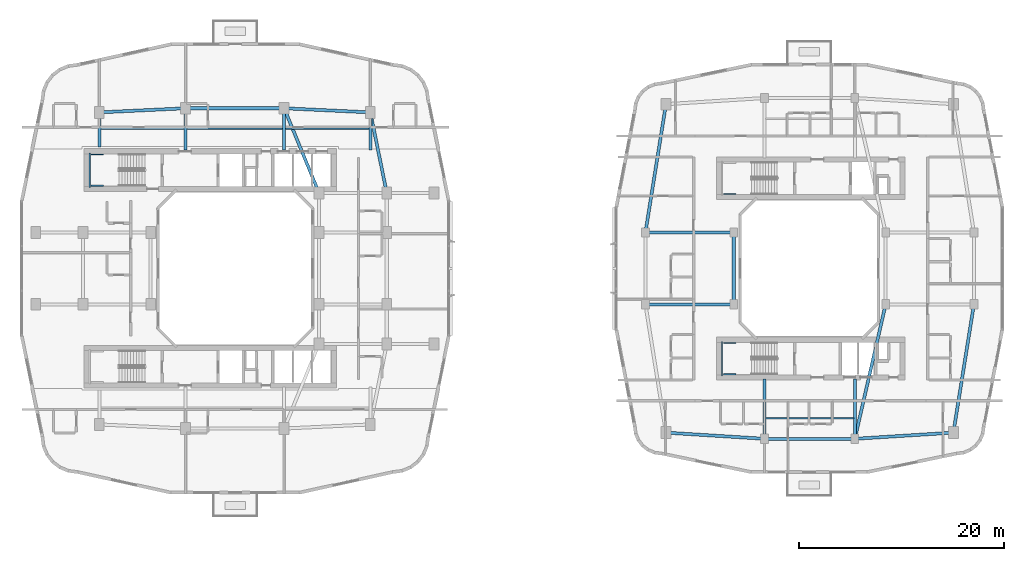
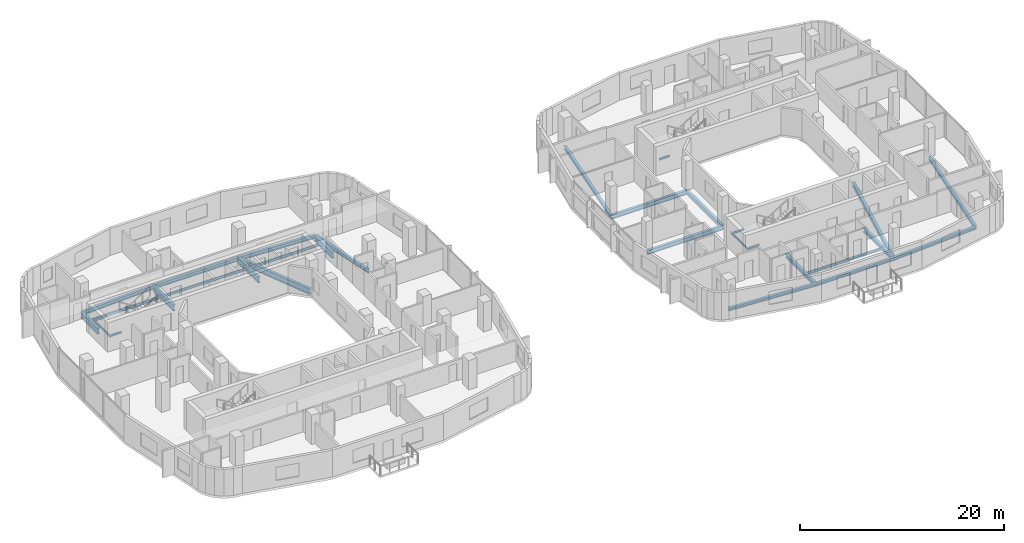
# One storey, part 5 of 22: 31 beams.
"""IFC4 building model written with IfcOpenShell, lengths in metres."""

from ifc_helpers import new_model, si_unit, derived_unit, direction, frame, origin, origin_2d, place, context, subcontext, project, spatial, i_section, extrude, material, material_profile, profile_set, type_object, element, save


model = new_model("IFC4")

# Units and contexts
model_context = context("Model", 3, precision=1e-05, world=origin(), true_north=direction((0.0, 1.0)))
body_context = subcontext(model_context, "Body", "Model", "MODEL_VIEW")
ifc_project = project(units=[si_unit("LENGTHUNIT", "METRE"), si_unit("AREAUNIT", "SQUARE_METRE"), si_unit("VOLUMEUNIT", "CUBIC_METRE"), si_unit("PLANEANGLEUNIT", "RADIAN"), si_unit("MASSUNIT", "GRAM", prefix="KILO"), derived_unit("THERMALTRANSMITTANCEUNIT", [(si_unit("POWERUNIT", "WATT"), 1), (si_unit("LENGTHUNIT", "METRE"), -2), (si_unit("THERMODYNAMICTEMPERATUREUNIT", "KELVIN"), -1)])], contexts=[model_context])

# Site, building, storey
site_placement = place(None, origin())
site = spatial("IfcSite", under=ifc_project, at=site_placement, CompositionType="ELEMENT")
building_placement = place(site_placement, origin())
building = spatial("IfcBuilding", under=site, at=building_placement, Name="Kivonza Crest Hotel", CompositionType="ELEMENT")
storey_placement = place(building_placement, frame((0.0, 0.0, 69.5)))
storey = spatial("IfcBuildingStorey", under=building, at=storey_placement, Name="L18", CompositionType="ELEMENT", Elevation=69.5)

# Beams
ifc_material = material(Name="Steel S355", Category="steel")
ifc_material_profile_1 = material_profile(ifc_material, i_section(OverallWidth=0.300048828125, OverallDepth=0.360107421875, WebThickness=0.012451171875, FlangeThickness=0.0224609375, FilletRadius=0.027099609375, at=origin_2d()), Name="HEB 360")
ifc_profile_set_1 = profile_set([ifc_material_profile_1], Name="Steel S355")
beam_type_1 = type_object("IfcBeamType", Name="BM-HEB360", PredefinedType="SPANDREL", material=ifc_profile_set_1)
beam_1_placement = place(storey_placement, frame((72.60009765625, 8.39990234375, -0.429931640625), z_axis=(1.0, 0.0, 0.0), x_axis=(0.0, 1.0, 0.0)))
element("IfcBeam", 1, at=beam_1_placement, inside=storey, type_object=beam_type_1, Name="Companion Tower T2 L18 perimeter spandrel S1-S2", PredefinedType="SPANDREL", context=body_context, shape_type="SweptSolid", body=[
    extrude(i_section(OverallWidth=0.300048828125, OverallDepth=0.360107421875, WebThickness=0.012451171875, FlangeThickness=0.0224609375, FilletRadius=0.027099609375, at=origin_2d()), origin(), (0.0, 0.0, 1.0), 8.7998046875),
])
beam_2_placement = place(storey_placement, frame((81.39990234375, 8.39990234375, -0.429931640625), z_axis=(0.998051985873, 0.062387767186, 0.0), x_axis=(-0.062387767186, 0.998051985873, 0.0)))
element("IfcBeam", 2, at=beam_2_placement, inside=storey, type_object=beam_type_1, Name="Companion Tower T2 L18 perimeter spandrel S2-SE", PredefinedType="SPANDREL", context=body_context, shape_type="SweptSolid", body=[
    extrude(i_section(OverallWidth=0.300048828125, OverallDepth=0.360107421875, WebThickness=0.012451171875, FlangeThickness=0.0224609375, FilletRadius=0.027099609375, at=origin_2d()), origin(), (0.0, 0.0, 1.0), 9.618896484375),
])
for number, where, z_axis, x_axis, name in (
    (3, (91.0, 9.0, -0.429931640625), (0.157990501107, 0.987440631917, 0.0), (-0.987440631917, 0.157990501107, 0.0), "Companion Tower T2 L18 perimeter spandrel SE-E1"),
    (4, (63.0, 41.0, -0.429931640625), (-0.157990501107, -0.987440631917, 0.0), (0.987440631917, -0.157990501107, 0.0), "Companion Tower T2 L18 perimeter spandrel NW-W2"),
):
    element("IfcBeam", number, at=place(storey_placement, frame(where, z_axis=z_axis, x_axis=x_axis)), inside=storey, type_object=beam_type_1, Name=name, PredefinedType="SPANDREL", context=body_context, shape_type="SweptSolid", body=[
        extrude(i_section(OverallWidth=0.300048828125, OverallDepth=0.360107421875, WebThickness=0.012451171875, FlangeThickness=0.0224609375, FilletRadius=0.027099609375, at=origin_2d()), origin(), (0.0, 0.0, 1.0), 12.658935546875),
    ])
beam_3_placement = place(storey_placement, frame((63.0, 9.0, -0.429931640625), z_axis=(0.998051985873, -0.062387767186, 0.0), x_axis=(0.062387767186, 0.998051985873, 0.0)))
element("IfcBeam", 5, at=beam_3_placement, inside=storey, type_object=beam_type_1, Name="Companion Tower T2 L18 perimeter spandrel SW-S1", PredefinedType="SPANDREL", context=body_context, shape_type="SweptSolid", body=[
    extrude(i_section(OverallWidth=0.300048828125, OverallDepth=0.360107421875, WebThickness=0.012451171875, FlangeThickness=0.0224609375, FilletRadius=0.027099609375, at=origin_2d()), origin(), (0.0, 0.0, 1.0), 9.618896484375),
])
ifc_material_profile_2 = material_profile(ifc_material, i_section(OverallWidth=0.300048828125, OverallDepth=0.449951171875, WebThickness=0.013916015625, FlangeThickness=0.02587890625, FilletRadius=0.027099609375, at=origin_2d()), Name="HEB 450")
ifc_profile_set_2 = profile_set([ifc_material_profile_2], Name="Steel S355")
beam_type_2 = type_object("IfcBeamType", Name="BM-HEB450", PredefinedType="SPANDREL", material=ifc_profile_set_2)
beam_4_placement = place(storey_placement, frame((35.800048828125, 32.35009765625, -0.5048828125), z_axis=(-0.199730733965, 0.979850822273, 0.0), x_axis=(-0.979850822273, -0.199730733965, 0.0)))
element("IfcBeam", 6, at=beam_4_placement, inside=storey, type_object=beam_type_2, Name="Tower T1 L18 perimeter spandrel PNE-NE", PredefinedType="SPANDREL", context=body_context, shape_type="SweptSolid", body=[
    extrude(i_section(OverallWidth=0.300048828125, OverallDepth=0.449951171875, WebThickness=0.013916015625, FlangeThickness=0.02587890625, FilletRadius=0.027099609375, at=origin_2d()), origin(), (0.0, 0.0, 1.0), 8.01123046875),
])
beam_5_placement = place(storey_placement, frame((34.199951171875, 40.199951171875, -0.5048828125), z_axis=(-0.998867283688, 0.047583080799, 0.0), x_axis=(-0.047583080799, -0.998867283688, 0.0)))
element("IfcBeam", 7, at=beam_5_placement, inside=storey, type_object=beam_type_2, Name="Tower T1 L18 perimeter spandrel NE-N2", PredefinedType="SPANDREL", context=body_context, shape_type="SweptSolid", body=[
    extrude(i_section(OverallWidth=0.300048828125, OverallDepth=0.449951171875, WebThickness=0.013916015625, FlangeThickness=0.02587890625, FilletRadius=0.027099609375, at=origin_2d()), origin(), (0.0, 0.0, 1.0), 8.409423828125),
])
beam_6_placement = place(storey_placement, frame((25.800048828125, 40.60009765625, -0.5048828125), z_axis=(-1.0, 0.0, 0.0), x_axis=(0.0, -1.0, 0.0)))
element("IfcBeam", 8, at=beam_6_placement, inside=storey, type_object=beam_type_2, Name="Tower T1 L18 perimeter spandrel N2-N1", PredefinedType="SPANDREL", context=body_context, shape_type="SweptSolid", body=[
    extrude(i_section(OverallWidth=0.300048828125, OverallDepth=0.449951171875, WebThickness=0.013916015625, FlangeThickness=0.02587890625, FilletRadius=0.027099609375, at=origin_2d()), origin(), (0.0, 0.0, 1.0), 9.60009765625),
])
beam_7_placement = place(storey_placement, frame((16.199951171875, 40.60009765625, -0.5048828125), z_axis=(-0.998867283688, -0.047583080799, 0.0), x_axis=(0.047583080799, -0.998867283688, 0.0)))
element("IfcBeam", 9, at=beam_7_placement, inside=storey, type_object=beam_type_2, Name="Tower T1 L18 perimeter spandrel N1-NW", PredefinedType="SPANDREL", context=body_context, shape_type="SweptSolid", body=[
    extrude(i_section(OverallWidth=0.300048828125, OverallDepth=0.449951171875, WebThickness=0.013916015625, FlangeThickness=0.02587890625, FilletRadius=0.027099609375, at=origin_2d()), origin(), (0.0, 0.0, 1.0), 8.409423828125),
])
ifc_material_profile_3 = material_profile(ifc_material, i_section(OverallWidth=0.300048828125, OverallDepth=0.5, WebThickness=0.014404296875, FlangeThickness=0.028076171875, FilletRadius=0.027099609375, at=origin_2d()), Name="HEB 500")
ifc_profile_set_3 = profile_set([ifc_material_profile_3], Name="Steel S355")
beam_type_3 = type_object("IfcBeamType", Name="BM-HEB500", PredefinedType="BEAM", material=ifc_profile_set_3)
for number, where, z_axis, x_axis, name in (
    (10, (61.0, 21.5, -0.5), (1.0, 0.0, 0.0), (0.0, 1.0, 0.0), "Companion Tower T2 L18 girder W1-WL1"),
    (11, (61.0, 28.5, -0.5), (1.0, 0.0, 0.0), (0.0, 1.0, 0.0), "Companion Tower T2 L18 girder W2-WL2"),
):
    element("IfcBeam", number, at=place(storey_placement, frame(where, z_axis=z_axis, x_axis=x_axis)), inside=storey, type_object=beam_type_3, Name=name, PredefinedType="BEAM", context=body_context, shape_type="SweptSolid", body=[
        extrude(i_section(OverallWidth=0.300048828125, OverallDepth=0.5, WebThickness=0.014404296875, FlangeThickness=0.028076171875, FilletRadius=0.027099609375, at=origin_2d()), origin(), (0.0, 0.0, 1.0), 8.60009765625),
    ])
beam_8_placement = place(storey_placement, frame((69.60009765625, 21.5, -0.5), z_axis=(0.0, 1.0, 0.0), x_axis=(-1.0, 0.0, 0.0)))
element("IfcBeam", 12, at=beam_8_placement, inside=storey, type_object=beam_type_3, Name="Companion Tower T2 L18 girder WL1-WL2", PredefinedType="BEAM", context=body_context, shape_type="SweptSolid", body=[
    extrude(i_section(OverallWidth=0.300048828125, OverallDepth=0.5, WebThickness=0.014404296875, FlangeThickness=0.028076171875, FilletRadius=0.027099609375, at=origin_2d()), origin(), (0.0, 0.0, 1.0), 7.0),
])
beam_9_placement = place(storey_placement, frame((84.39990234375, 21.5, -0.5), z_axis=(-0.223227287589, -0.974766422317, 0.0), x_axis=(0.974766422317, -0.223227287589, 0.0)))
element("IfcBeam", 13, at=beam_9_placement, inside=storey, type_object=beam_type_3, Name="Companion Tower T2 L18 girder WR1-S2", PredefinedType="BEAM", context=body_context, shape_type="SweptSolid", body=[
    extrude(i_section(OverallWidth=0.300048828125, OverallDepth=0.5, WebThickness=0.014404296875, FlangeThickness=0.028076171875, FilletRadius=0.027099609375, at=origin_2d()), origin(), (0.0, 0.0, 1.0), 13.439208984375),
])
for number, where, z_axis, x_axis, name in (
    (14, (72.60009765625, 8.39990234375, -0.5), (0.0, 1.0, 0.0), (-1.0, 0.0, 0.0), "Companion T2 L18 radial core girder RS1"),
    (15, (81.39990234375, 8.39990234375, -0.5), (0.0, 1.0, 0.0), (-1.0, 0.0, 0.0), "Companion T2 L18 radial core girder RS2"),
):
    element("IfcBeam", number, at=place(storey_placement, frame(where, z_axis=z_axis, x_axis=x_axis)), inside=storey, type_object=beam_type_3, Name=name, PredefinedType="BEAM", context=body_context, shape_type="SweptSolid", body=[
        extrude(i_section(OverallWidth=0.300048828125, OverallDepth=0.5, WebThickness=0.014404296875, FlangeThickness=0.028076171875, FilletRadius=0.027099609375, at=origin_2d()), origin(), (0.0, 0.0, 1.0), 5.85009765625),
    ])
ifc_material_profile_4 = material_profile(ifc_material, i_section(OverallWidth=0.300048828125, OverallDepth=0.699951171875, WebThickness=0.01708984375, FlangeThickness=0.031982421875, FilletRadius=0.027099609375, at=origin_2d()), Name="HEB 700")
ifc_profile_set_4 = profile_set([ifc_material_profile_4], Name="Steel S355")
beam_type_4 = type_object("IfcBeamType", Name="BM-HEB700", PredefinedType="BEAM", material=ifc_profile_set_4)
beam_10_placement = place(storey_placement, frame((25.800048828125, 40.60009765625, -0.6298828125), z_axis=(0.381022260404, -0.924565864109, 0.0), x_axis=(0.924565864109, 0.381022260404, 0.0)))
element("IfcBeam", 16, at=beam_10_placement, inside=storey, type_object=beam_type_4, Name="Tower T1 L18 primary girder N1-TNE", PredefinedType="BEAM", context=body_context, shape_type="SweptSolid", body=[
    extrude(i_section(OverallWidth=0.300048828125, OverallDepth=0.699951171875, WebThickness=0.01708984375, FlangeThickness=0.031982421875, FilletRadius=0.027099609375, at=origin_2d()), origin(), (0.0, 0.0, 1.0), 8.923095703125),
])
beam_11_placement = place(storey_placement, frame((7.800048828125, 40.199951171875, -0.6298828125), z_axis=(0.0, -1.0, 0.0), x_axis=(1.0, 0.0, 0.0)))
element("IfcBeam", 17, at=beam_11_placement, inside=storey, type_object=beam_type_4, Name="Tower T1 L18 radial core girder RNW", PredefinedType="BEAM", context=body_context, shape_type="SweptSolid", body=[
    extrude(i_section(OverallWidth=0.300048828125, OverallDepth=0.699951171875, WebThickness=0.01708984375, FlangeThickness=0.031982421875, FilletRadius=0.027099609375, at=origin_2d()), origin(), (0.0, 0.0, 1.0), 3.349853515625),
])
for number, where, z_axis, x_axis, name in (
    (18, (16.199951171875, 40.60009765625, -0.6298828125), (0.0, -1.0, 0.0), (1.0, 0.0, 0.0), "Tower T1 L18 radial core girder RN1"),
    (19, (25.800048828125, 40.60009765625, -0.6298828125), (0.0, -1.0, 0.0), (1.0, 0.0, 0.0), "Tower T1 L18 radial core girder RN2"),
):
    element("IfcBeam", number, at=place(storey_placement, frame(where, z_axis=z_axis, x_axis=x_axis)), inside=storey, type_object=beam_type_4, Name=name, PredefinedType="BEAM", context=body_context, shape_type="SweptSolid", body=[
        extrude(i_section(OverallWidth=0.300048828125, OverallDepth=0.699951171875, WebThickness=0.01708984375, FlangeThickness=0.031982421875, FilletRadius=0.027099609375, at=origin_2d()), origin(), (0.0, 0.0, 1.0), 4.050048828125),
    ])
beam_12_placement = place(storey_placement, frame((34.199951171875, 40.199951171875, -0.6298828125), z_axis=(0.0, -1.0, 0.0), x_axis=(1.0, 0.0, 0.0)))
element("IfcBeam", 20, at=beam_12_placement, inside=storey, type_object=beam_type_4, Name="Tower T1 L18 radial core girder RNE", PredefinedType="BEAM", context=body_context, shape_type="SweptSolid", body=[
    extrude(i_section(OverallWidth=0.300048828125, OverallDepth=0.699951171875, WebThickness=0.01708984375, FlangeThickness=0.031982421875, FilletRadius=0.027099609375, at=origin_2d()), origin(), (0.0, 0.0, 1.0), 3.64990234375),
])
ifc_material_profile_5 = material_profile(ifc_material, i_section(OverallWidth=0.14990234375, OverallDepth=0.300048828125, WebThickness=0.007080078125, FlangeThickness=0.0107421875, FilletRadius=0.014892578125, at=origin_2d()), Name="IPE 300")
ifc_profile_set_5 = profile_set([ifc_material_profile_5], Name="Steel S355")
beam_type_5 = type_object("IfcBeamType", Name="BM-IPE300", PredefinedType="JOIST", material=ifc_profile_set_5)
beam_13_placement = place(storey_placement, frame((7.8798828125, 38.60009765625, -0.429931640625), z_axis=(1.0, 0.0, 0.0), x_axis=(0.0, 1.0, 0.0)))
element("IfcBeam", 21, at=beam_13_placement, inside=storey, type_object=beam_type_5, Name="Tower T1 L18 North-West floor joist", PredefinedType="JOIST", context=body_context, shape_type="SweptSolid", body=[
    extrude(i_section(OverallWidth=0.14990234375, OverallDepth=0.300048828125, WebThickness=0.007080078125, FlangeThickness=0.0107421875, FilletRadius=0.014892578125, at=origin_2d()), origin(), (0.0, 0.0, 1.0), 8.240234375),
])
beam_14_placement = place(storey_placement, frame((16.280029296875, 38.60009765625, -0.429931640625), z_axis=(1.0, 0.0, 0.0), x_axis=(0.0, 1.0, 0.0)))
element("IfcBeam", 22, at=beam_14_placement, inside=storey, type_object=beam_type_5, Name="Tower T1 L18 North-Mid floor joist", PredefinedType="JOIST", context=body_context, shape_type="SweptSolid", body=[
    extrude(i_section(OverallWidth=0.14990234375, OverallDepth=0.300048828125, WebThickness=0.007080078125, FlangeThickness=0.0107421875, FilletRadius=0.014892578125, at=origin_2d()), origin(), (0.0, 0.0, 1.0), 9.43994140625),
])
beam_15_placement = place(storey_placement, frame((25.8798828125, 38.60009765625, -0.429931640625), z_axis=(1.0, 0.0, 0.0), x_axis=(0.0, 1.0, 0.0)))
element("IfcBeam", 23, at=beam_15_placement, inside=storey, type_object=beam_type_5, Name="Tower T1 L18 North-East floor joist", PredefinedType="JOIST", context=body_context, shape_type="SweptSolid", body=[
    extrude(i_section(OverallWidth=0.14990234375, OverallDepth=0.300048828125, WebThickness=0.007080078125, FlangeThickness=0.0107421875, FilletRadius=0.014892578125, at=origin_2d()), origin(), (0.0, 0.0, 1.0), 8.240234375),
])
beam_16_placement = place(storey_placement, frame((72.679931640625, 10.39990234375, -0.39990234375), z_axis=(1.0, 0.0, 0.0), x_axis=(0.0, 1.0, 0.0)))
element("IfcBeam", 24, at=beam_16_placement, inside=storey, type_object=beam_type_5, Name="Companion Tower T2 L18 South floor joist", PredefinedType="JOIST", context=body_context, shape_type="SweptSolid", body=[
    extrude(i_section(OverallWidth=0.14990234375, OverallDepth=0.300048828125, WebThickness=0.007080078125, FlangeThickness=0.0107421875, FilletRadius=0.014892578125, at=origin_2d()), origin(), (0.0, 0.0, 1.0), 8.64013671875),
])
ifc_material_profile_6 = material_profile(ifc_material, i_section(OverallWidth=0.1201171875, OverallDepth=0.239990234375, WebThickness=0.006103515625, FlangeThickness=0.009765625, FilletRadius=0.014892578125, at=origin_2d()), Name="IPE 240")
ifc_profile_set_6 = profile_set([ifc_material_profile_6], Name="Steel S355")
beam_type_6 = type_object("IfcBeamType", Name="BM-LLDG-240", PredefinedType="BEAM", material=ifc_profile_set_6)
beam_17_placement = place(storey_placement, frame((6.860107421875, 32.89990234375, 1.429931640625), z_axis=(0.0, 1.0, 0.0), x_axis=(-1.0, 0.0, 0.0)))
element("IfcBeam", 25, at=beam_17_placement, inside=storey, type_object=beam_type_6, Name="Stair ST-T1-N L18 West landing corbel", PredefinedType="BEAM", context=body_context, shape_type="SweptSolid", body=[
    extrude(i_section(OverallWidth=0.1201171875, OverallDepth=0.239990234375, WebThickness=0.006103515625, FlangeThickness=0.009765625, FilletRadius=0.014892578125, at=origin_2d()), origin(), (0.0, 0.0, 1.0), 3.360107421875),
])
for number, where, z_axis, x_axis, name in (
    (26, (6.989990234375, 33.06005859375, 1.429931640625), (1.0, 0.0, 0.0), (0.0, 1.0, 0.0), "Stair ST-T1-N L18 South landing corbel"),
    (27, (6.989990234375, 36.10009765625, 1.429931640625), (1.0, 0.0, 0.0), (0.0, 1.0, 0.0), "Stair ST-T1-N L18 North landing corbel"),
    (28, (68.590087890625, 32.260009765625, 1.429931640625), (1.0, 0.0, 0.0), (0.0, 1.0, 0.0), "Stair ST-T2-N L18 South landing corbel"),
):
    element("IfcBeam", number, at=place(storey_placement, frame(where, z_axis=z_axis, x_axis=x_axis)), inside=storey, type_object=beam_type_6, Name=name, PredefinedType="BEAM", context=body_context, shape_type="SweptSolid", body=[
        extrude(i_section(OverallWidth=0.1201171875, OverallDepth=0.239990234375, WebThickness=0.006103515625, FlangeThickness=0.009765625, FilletRadius=0.014892578125, at=origin_2d()), origin(), (0.0, 0.0, 1.0), 1.2099609375),
    ])
beam_18_placement = place(storey_placement, frame((68.4599609375, 14.5400390625, 1.429931640625), z_axis=(0.0, 1.0, 0.0), x_axis=(-1.0, 0.0, 0.0)))
element("IfcBeam", 29, at=beam_18_placement, inside=storey, type_object=beam_type_6, Name="Stair ST-T2-S L18 West landing corbel", PredefinedType="BEAM", context=body_context, shape_type="SweptSolid", body=[
    extrude(i_section(OverallWidth=0.1201171875, OverallDepth=0.239990234375, WebThickness=0.006103515625, FlangeThickness=0.009765625, FilletRadius=0.014892578125, at=origin_2d()), origin(), (0.0, 0.0, 1.0), 3.35986328125),
])
for number, where, z_axis, x_axis, name in (
    (30, (68.590087890625, 14.699951171875, 1.429931640625), (1.0, 0.0, 0.0), (0.0, 1.0, 0.0), "Stair ST-T2-S L18 South landing corbel"),
    (31, (68.590087890625, 17.739990234375, 1.429931640625), (1.0, 0.0, 0.0), (0.0, 1.0, 0.0), "Stair ST-T2-S L18 North landing corbel"),
):
    element("IfcBeam", number, at=place(storey_placement, frame(where, z_axis=z_axis, x_axis=x_axis)), inside=storey, type_object=beam_type_6, Name=name, PredefinedType="BEAM", context=body_context, shape_type="SweptSolid", body=[
        extrude(i_section(OverallWidth=0.1201171875, OverallDepth=0.239990234375, WebThickness=0.006103515625, FlangeThickness=0.009765625, FilletRadius=0.014892578125, at=origin_2d()), origin(), (0.0, 0.0, 1.0), 1.2099609375),
    ])

save(model, "model.ifc")
